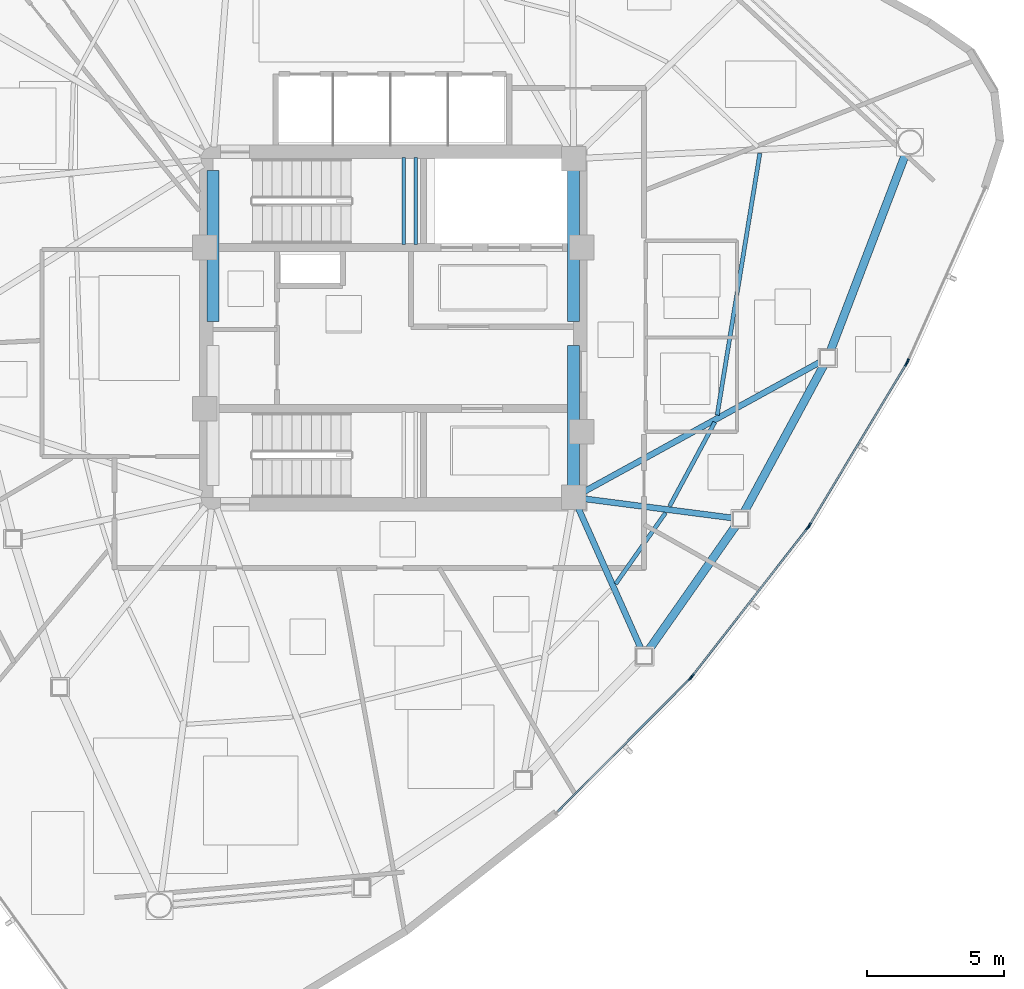
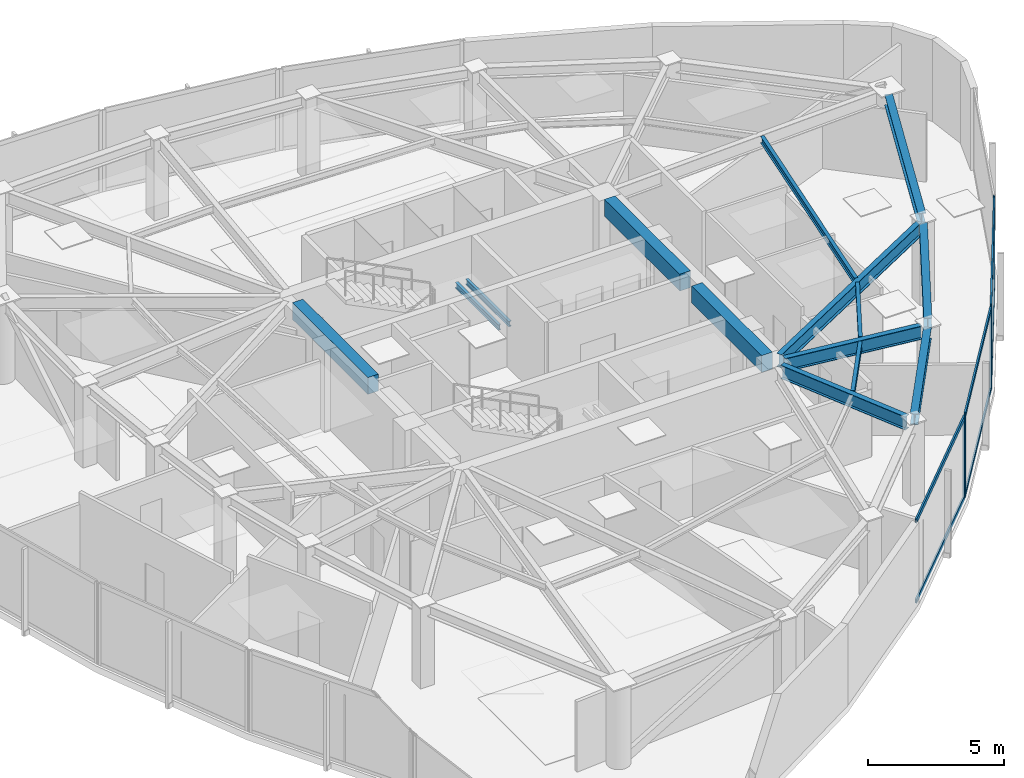
# One storey, part 4 of 13: 14 beams, 12 members, 4 elements without a shape of their own.
"""IFC4 building model written with IfcOpenShell, lengths in metres."""

from ifc_helpers import new_model, si_unit, direction, frame, origin, origin_2d, place, context, subcontext, project, spatial, rectangle, hollow_rectangle, i_section, extrude, source, transform, mapped, material, layer, layer_set, material_profile, profile_set, type_object, type_shapes, element, aggregate, save


model = new_model("IFC4")

# Units and contexts
model_context = context("Model", 3, precision=1e-05, world=origin(), true_north=direction((0.0, 1.0)))
body_context = subcontext(model_context, "Body", "Model", "MODEL_VIEW")
ifc_project = project(units=[si_unit("LENGTHUNIT", "METRE"), si_unit("AREAUNIT", "SQUARE_METRE"), si_unit("VOLUMEUNIT", "CUBIC_METRE"), si_unit("PLANEANGLEUNIT", "RADIAN"), si_unit("MASSUNIT", "GRAM", prefix="KILO")], contexts=[model_context])

# Site, building, storey
site_placement = place(None, origin())
site = spatial("IfcSite", under=ifc_project, at=site_placement, CompositionType="ELEMENT")
building_placement = place(site_placement, origin())
building = spatial("IfcBuilding", under=site, at=building_placement, Name="Tavelor Broadcast Tower", CompositionType="ELEMENT")
storey_placement = place(building_placement, frame((0.0, 0.0, 245.85009765625)))
storey = spatial("IfcBuildingStorey", under=building, at=storey_placement, Name="L58", CompositionType="ELEMENT", Elevation=245.85009765625)

# Beams
ifc_material_1 = material(Name="Concrete C40/50", Category="concrete")
ifc_material_profile_1 = material_profile(ifc_material_1, rectangle(XDim=0.449951171875, YDim=0.75, at=origin_2d()), Name="RC 450x750")
ifc_profile_set_1 = profile_set([ifc_material_profile_1], Name="Concrete C40/50")
beam_type_1 = type_object("IfcBeamType", Name="Basement Core Trim Beam 450x750", PredefinedType="BEAM", material=ifc_profile_set_1)
for number, where, z_axis, x_axis, name in (
    (1, (43.39990234375, 45.23193359375, 3.27490234375), (0.0, 1.0, 0.0), (-1.0, 0.0, 0.0), "L58 Core West-N Tie Girder"),
    (2, (56.60009765625, 45.23193359375, 3.27490234375), (0.0, 1.0, 0.0), (-1.0, 0.0, 0.0), "L58 Core East-N Tie Girder"),
):
    element("IfcBeam", number, at=place(storey_placement, frame(where, z_axis=z_axis, x_axis=x_axis)), inside=storey, type_object=beam_type_1, Name=name, PredefinedType="BEAM", context=body_context, shape_type="SweptSolid", body=[
        extrude(rectangle(XDim=0.449951171875, YDim=0.75, at=origin_2d()), origin(), (0.0, 0.0, 1.0), 5.5361328125),
    ])
beam_1_placement = place(storey_placement, frame((56.60009765625, 39.23193359375, 3.27490234375), z_axis=(0.0, 1.0, 0.0), x_axis=(-1.0, 0.0, 0.0)))
element("IfcBeam", 3, at=beam_1_placement, inside=storey, type_object=beam_type_1, Name="L58 Core East-S Tie Girder", PredefinedType="BEAM", context=body_context, shape_type="SweptSolid", body=[
    extrude(rectangle(XDim=0.449951171875, YDim=0.75, at=origin_2d()), origin(), (0.0, 0.0, 1.0), 5.135986328125),
])
ifc_material_2 = material(Name="Steel S355", Category="steel")
ifc_material_profile_2 = material_profile(ifc_material_2, i_section(OverallWidth=0.14990234375, OverallDepth=0.300048828125, WebThickness=0.007080078125, FlangeThickness=0.0107421875, at=origin_2d()), Name="IPE 300")
ifc_profile_set_2 = profile_set([ifc_material_profile_2], Name="Steel S355")
beam_type_2 = type_object("IfcBeamType", Name="Composite Floor Joist T5 IPE 300", PredefinedType="JOIST", material=ifc_profile_set_2)
beam_2_placement = place(storey_placement, frame((58.1435546875, 35.632568359375, 3.5), z_axis=(0.573982104788, 0.81886784244, 0.0), x_axis=(-0.81886784244, 0.573982104788, 0.0)))
element("IfcBeam", 4, at=beam_2_placement, inside=storey, type_object=beam_type_2, Name="L58 Secondary Composite Floor Joist 10", PredefinedType="JOIST", context=body_context, shape_type="SweptSolid", body=[
    extrude(i_section(OverallWidth=0.14990234375, OverallDepth=0.300048828125, WebThickness=0.007080078125, FlangeThickness=0.0107421875, at=origin_2d()), origin(), (0.0, 0.0, 1.0), 3.183349609375),
])
beam_3_placement = place(storey_placement, frame((60.11669921875, 38.476318359375, 3.5), z_axis=(0.473687126384, 0.880693196464, 0.0), x_axis=(-0.880693196464, 0.473687126384, 0.0)))
element("IfcBeam", 5, at=beam_3_placement, inside=storey, type_object=beam_type_2, Name="L58 Secondary Composite Floor Joist 11", PredefinedType="JOIST", context=body_context, shape_type="SweptSolid", body=[
    extrude(i_section(OverallWidth=0.14990234375, OverallDepth=0.300048828125, WebThickness=0.007080078125, FlangeThickness=0.0107421875, at=origin_2d()), origin(), (0.0, 0.0, 1.0), 3.492919921875),
])
beam_4_placement = place(storey_placement, frame((61.859619140625, 41.812744140625, 3.5), z_axis=(0.160809479217, 0.986985466658, 0.0), x_axis=(-0.986985466658, 0.160809479217, 0.0)))
element("IfcBeam", 6, at=beam_4_placement, inside=storey, type_object=beam_type_2, Name="L58 Secondary Composite Floor Joist 12", PredefinedType="JOIST", context=body_context, shape_type="SweptSolid", body=[
    extrude(i_section(OverallWidth=0.14990234375, OverallDepth=0.300048828125, WebThickness=0.007080078125, FlangeThickness=0.0107421875, at=origin_2d()), origin(), (0.0, 0.0, 1.0), 9.708984375),
])
ifc_material_profile_3 = material_profile(ifc_material_2, i_section(OverallWidth=0.300048828125, OverallDepth=0.489990234375, WebThickness=0.011962890625, FlangeThickness=0.02294921875, at=origin_2d()), Name="HEA 500")
ifc_profile_set_3 = profile_set([ifc_material_profile_3], Name="Steel S355")
beam_type_3 = type_object("IfcBeamType", Name="Perimeter Spandrel Beam T5 HEA 500", PredefinedType="SPANDREL", material=ifc_profile_set_3)
beam_5_placement = place(storey_placement, frame((59.357666015625, 33.222900390625, 3.40478515625), z_axis=(0.573798498873, 0.818996509572, 0.0), x_axis=(-0.818996509572, 0.573798498873, 0.0)))
element("IfcBeam", 7, at=beam_5_placement, inside=storey, type_object=beam_type_3, Name="L58 Framed-Tube Ring Spandrel 10", PredefinedType="SPANDREL", context=body_context, shape_type="SweptSolid", body=[
    extrude(i_section(OverallWidth=0.300048828125, OverallDepth=0.489990234375, WebThickness=0.011962890625, FlangeThickness=0.02294921875, at=origin_2d()), origin(), (0.0, 0.0, 1.0), 5.555908203125),
])
beam_6_placement = place(storey_placement, frame((62.84814453125, 38.26220703125, 3.40478515625), z_axis=(0.476295969148, 0.879285021921, 0.0), x_axis=(-0.879285021921, 0.476295969148, 0.0)))
element("IfcBeam", 8, at=beam_6_placement, inside=storey, type_object=beam_type_3, Name="L58 Framed-Tube Ring Spandrel 11", PredefinedType="SPANDREL", context=body_context, shape_type="SweptSolid", body=[
    extrude(i_section(OverallWidth=0.300048828125, OverallDepth=0.489990234375, WebThickness=0.011962890625, FlangeThickness=0.02294921875, at=origin_2d()), origin(), (0.0, 0.0, 1.0), 6.134521484375),
])
beam_7_placement = place(storey_placement, frame((66.010009765625, 44.178466796875, 3.40478515625), z_axis=(0.356691025332, 0.934222410589, 0.0), x_axis=(-0.934222410589, 0.356691025332, 0.0)))
element("IfcBeam", 9, at=beam_7_placement, inside=storey, type_object=beam_type_3, Name="L58 Framed-Tube Ring Spandrel 12", PredefinedType="SPANDREL", context=body_context, shape_type="SweptSolid", body=[
    extrude(i_section(OverallWidth=0.300048828125, OverallDepth=0.489990234375, WebThickness=0.011962890625, FlangeThickness=0.02294921875, at=origin_2d()), origin(), (0.0, 0.0, 1.0), 7.71875),
])
ifc_material_profile_4 = material_profile(ifc_material_2, i_section(OverallWidth=0.219970703125, OverallDepth=0.60009765625, WebThickness=0.011962890625, FlangeThickness=0.01904296875, at=origin_2d()), Name="IPE 600")
ifc_profile_set_4 = profile_set([ifc_material_profile_4], Name="Steel S355")
beam_type_4 = type_object("IfcBeamType", Name="Radial Floor Girder T5 IPE 600", PredefinedType="BEAM", material=ifc_profile_set_4)
beam_8_placement = place(storey_placement, frame((56.77587890625, 38.405517578125, 3.349853515625), z_axis=(0.407317885502, -0.913286450217, 0.0), x_axis=(0.913286450217, 0.407317885502, 0.0)))
element("IfcBeam", 10, at=beam_8_placement, inside=storey, type_object=beam_type_4, Name="L58 Radial Primary Floor Girder 10", PredefinedType="BEAM", context=body_context, shape_type="SweptSolid", body=[
    extrude(i_section(OverallWidth=0.219970703125, OverallDepth=0.60009765625, WebThickness=0.011962890625, FlangeThickness=0.01904296875, at=origin_2d()), origin(), (0.0, 0.0, 1.0), 5.64501953125),
])
beam_9_placement = place(storey_placement, frame((57.0283203125, 38.74462890625, 3.349853515625), z_axis=(0.991728752797, -0.12835139608, 0.0), x_axis=(0.12835139608, 0.991728752797, 0.0)))
element("IfcBeam", 11, at=beam_9_placement, inside=storey, type_object=beam_type_4, Name="L58 Radial Primary Floor Girder 11", PredefinedType="BEAM", context=body_context, shape_type="SweptSolid", body=[
    extrude(i_section(OverallWidth=0.219970703125, OverallDepth=0.60009765625, WebThickness=0.011962890625, FlangeThickness=0.01904296875, at=origin_2d()), origin(), (0.0, 0.0, 1.0), 5.44189453125),
])
beam_10_placement = place(storey_placement, frame((56.978759765625, 39.0078125, 3.349853515625), z_axis=(0.876594261461, 0.481230195201, 0.0), x_axis=(-0.481230195201, 0.876594261461, 0.0)))
element("IfcBeam", 12, at=beam_10_placement, inside=storey, type_object=beam_type_4, Name="L58 Radial Primary Floor Girder 12", PredefinedType="BEAM", context=body_context, shape_type="SweptSolid", body=[
    extrude(i_section(OverallWidth=0.219970703125, OverallDepth=0.60009765625, WebThickness=0.011962890625, FlangeThickness=0.01904296875, at=origin_2d()), origin(), (0.0, 0.0, 1.0), 9.8974609375),
])
ifc_material_profile_5 = material_profile(ifc_material_2, i_section(OverallWidth=0.1201171875, OverallDepth=0.239990234375, WebThickness=0.006103515625, FlangeThickness=0.009765625, at=origin_2d()), Name="IPE 240")
ifc_profile_set_5 = profile_set([ifc_material_profile_5], Name="Steel S355")
beam_type_5 = type_object("IfcBeamType", Name="Stairwell Landing Support Trimmer Beam IPE240", PredefinedType="BEAM", material=ifc_profile_set_5)
for number, where, z_axis, x_axis, name in (
    (13, (50.385009765625, 48.06005859375, 1.659912109375), (0.0, 1.0, 0.0), (-1.0, 0.0, 0.0), "L58 Stair Landing Support Beam 157"),
    (14, (50.824951171875, 48.06005859375, 1.659912109375), (0.0, 1.0, 0.0), (-1.0, 0.0, 0.0), "L58 Stair Landing Support Beam 158"),
):
    element("IfcBeam", number, at=place(storey_placement, frame(where, z_axis=z_axis, x_axis=x_axis)), inside=storey, type_object=beam_type_5, Name=name, PredefinedType="BEAM", context=body_context, shape_type="SweptSolid", body=[
        extrude(i_section(OverallWidth=0.1201171875, OverallDepth=0.239990234375, WebThickness=0.006103515625, FlangeThickness=0.009765625, at=origin_2d()), origin(), (0.0, 0.0, 1.0), 3.179931640625),
    ])

# Curtain wall, member
ifc_material_3 = material(Name="Architectural Anodized Aluminium", Category="aluminium")
ifc_layer = layer(ifc_material_3, 0.199951171875)
ifc_layer_set = layer_set([ifc_layer], Name="Architectural Anodized Aluminium")
curtain_wall_type = type_object("IfcCurtainWallType", Name="Tower High-Zone Triple-Glazed Curtain Wall CW04", PredefinedType="NOTDEFINED", material=ifc_layer_set)
curtain_wall_1_placement = place(storey_placement, origin())
curtain_wall_1 = element("IfcCurtainWall", 15, at=curtain_wall_1_placement, inside=storey, type_object=curtain_wall_type, Name="L58 Curtain Wall CW04 Run 629", PredefinedType="NOTDEFINED")
ifc_material_profile_6 = material_profile(ifc_material_3, hollow_rectangle(XDim=0.070068359375, YDim=0.199951171875, WallThickness=0.02197265625, at=origin_2d()), Name="RHS 70x200x22")
ifc_profile_set_6 = profile_set([ifc_material_profile_6], Name="Architectural Anodized Aluminium")
member_type_1 = type_object("IfcMemberType", Name="CW04 Extruded Aluminium Mullion 70x200", PredefinedType="MULLION", material=ifc_profile_set_6)
shared_shape_1 = source(origin(), body_context, "Body", "SweptSolid", [
    extrude(hollow_rectangle(XDim=0.070068359375, YDim=0.199951171875, WallThickness=0.02197265625, at=origin_2d()), origin(), (0.0, 0.0, 1.0), 3.64990234375),
])
type_shapes(member_type_1, [shared_shape_1])
member_1_placement = place(storey_placement, frame((60.87109375, 32.175537109375, 0.0), z_axis=(0.0, 0.0, 1.0), x_axis=(-0.70865123895, 0.705558942636, 0.0)))
member_1 = element("IfcMember", 16, at=member_1_placement, type_object=member_type_1, Name="CW04 mullion 2", PredefinedType="MULLION", context=body_context, shape_type="MappedRepresentation", body=[
    mapped(shared_shape_1, transform((0.0, 0.0, 0.0), scale=1.0)),
])

# Curtain wall, members
curtain_wall_2_placement = place(storey_placement, origin())
curtain_wall_2 = element("IfcCurtainWall", 17, at=curtain_wall_2_placement, inside=storey, type_object=curtain_wall_type, Name="L58 Curtain Wall CW04 Run 630", PredefinedType="NOTDEFINED")
member_2_placement = place(storey_placement, frame((60.93701171875, 32.25048828125, 0.0), z_axis=(0.0, 0.0, 1.0), x_axis=(-0.788815014641, 0.614630679903, 0.0)))
member_2 = element("IfcMember", 18, at=member_2_placement, type_object=member_type_1, Name="CW04 mullion 1", PredefinedType="MULLION", context=body_context, shape_type="MappedRepresentation", body=[
    mapped(shared_shape_1, transform((0.0, 0.0, 0.0), scale=1.0)),
])
member_3_placement = place(storey_placement, frame((65.177978515625, 37.693359375, 0.0), z_axis=(0.0, 0.0, 1.0), x_axis=(-0.788815014641, 0.614630679903, 0.0)))
member_3 = element("IfcMember", 19, at=member_3_placement, type_object=member_type_1, Name="CW04 mullion 2", PredefinedType="MULLION", context=body_context, shape_type="MappedRepresentation", body=[
    mapped(shared_shape_1, transform((0.0, 0.0, 0.0), scale=1.0)),
])

curtain_wall_3_placement = place(storey_placement, origin())
curtain_wall_3 = element("IfcCurtainWall", 20, at=curtain_wall_3_placement, inside=storey, type_object=curtain_wall_type, Name="L58 Curtain Wall CW04 Run 631", PredefinedType="NOTDEFINED")
member_4_placement = place(storey_placement, frame((65.234619140625, 37.775634765625, 0.0), z_axis=(0.0, 0.0, 1.0), x_axis=(-0.857399234704, 0.514651874891, 0.0)))
member_4 = element("IfcMember", 21, at=member_4_placement, type_object=member_type_1, Name="CW04 mullion 1", PredefinedType="MULLION", context=body_context, shape_type="MappedRepresentation", body=[
    mapped(shared_shape_1, transform((0.0, 0.0, 0.0), scale=1.0)),
])
member_5_placement = place(storey_placement, frame((68.785888671875, 43.69189453125, 0.0), z_axis=(0.0, 0.0, 1.0), x_axis=(-0.857399234704, 0.514651874891, 0.0)))
member_5 = element("IfcMember", 22, at=member_5_placement, type_object=member_type_1, Name="CW04 mullion 2", PredefinedType="MULLION", context=body_context, shape_type="MappedRepresentation", body=[
    mapped(shared_shape_1, transform((0.0, 0.0, 0.0), scale=1.0)),
])

# Curtain wall, member
curtain_wall_4_placement = place(storey_placement, origin())
curtain_wall_4 = element("IfcCurtainWall", 23, at=curtain_wall_4_placement, inside=storey, type_object=curtain_wall_type, Name="L58 Curtain Wall CW04 Run 632", PredefinedType="NOTDEFINED")
member_6_placement = place(storey_placement, frame((68.831787109375, 43.780517578125, 0.0), z_axis=(0.0, 0.0, 1.0), x_axis=(-0.913373033087, 0.407123694261, 0.0)))
member_6 = element("IfcMember", 24, at=member_6_placement, type_object=member_type_1, Name="CW04 mullion 1", PredefinedType="MULLION", context=body_context, shape_type="MappedRepresentation", body=[
    mapped(shared_shape_1, transform((0.0, 0.0, 0.0), scale=1.0)),
])
aggregate(curtain_wall_4, [member_6])

# Member
ifc_material_profile_7 = material_profile(ifc_material_3, hollow_rectangle(XDim=0.070068359375, YDim=0.199951171875, WallThickness=0.02197265625, at=origin_2d()), Name="RHS 70x200x22")
ifc_profile_set_7 = profile_set([ifc_material_profile_7], Name="Architectural Anodized Aluminium")
member_type_2 = type_object("IfcMemberType", Name="CW04 Extruded Aluminium Transom 70x200", PredefinedType="USERDEFINED", material=ifc_profile_set_7)
shared_shape_2 = source(origin(), body_context, "Body", "SweptSolid", [
    extrude(hollow_rectangle(XDim=0.070068359375, YDim=0.199951171875, WallThickness=0.02197265625, at=origin_2d()), origin(), (0.0, 0.0, 1.0), 6.84521484375),
])
member_7_placement = place(storey_placement, frame((56.0166015625, 27.2998046875, 0.034912109375), z_axis=(0.705553588792, 0.708656569392, 0.0), x_axis=(-0.708656569392, 0.705553588792, 0.0)))
member_7 = element("IfcMember", 25, at=member_7_placement, type_object=member_type_2, Name="CW04 transom 1.1", ObjectType="TRANSOM", PredefinedType="USERDEFINED", context=body_context, shape_type="MappedRepresentation", body=[
    mapped(shared_shape_2, transform((0.0, 0.0, 0.0), scale=1.0)),
])

member_8_placement = place(storey_placement, frame((56.0166015625, 27.2998046875, 3.614990234375), z_axis=(0.705553588792, 0.708656569392, 0.0), x_axis=(-0.708656569392, 0.705553588792, 0.0)))
member_8 = element("IfcMember", 26, at=member_8_placement, type_object=member_type_2, Name="CW04 transom 1.2", ObjectType="TRANSOM", PredefinedType="USERDEFINED", context=body_context, shape_type="MappedRepresentation", body=[
    mapped(shared_shape_2, transform((0.0, 0.0, 0.0), scale=1.0)),
])

aggregate(curtain_wall_1, [member_1, member_7, member_8])

shared_shape_3 = source(origin(), body_context, "Body", "SweptSolid", [
    extrude(hollow_rectangle(XDim=0.070068359375, YDim=0.199951171875, WallThickness=0.02197265625, at=origin_2d()), origin(), (0.0, 0.0, 1.0), 6.830078125),
])
type_shapes(member_type_2, [shared_shape_2, shared_shape_3])
member_9_placement = place(storey_placement, frame((60.95849609375, 32.278076171875, 0.034912109375), z_axis=(0.614630802066, 0.788814919453, 0.0), x_axis=(-0.788814919453, 0.614630802066, 0.0)))
member_9 = element("IfcMember", 27, at=member_9_placement, type_object=member_type_2, Name="CW04 transom 1.1", ObjectType="TRANSOM", PredefinedType="USERDEFINED", context=body_context, shape_type="MappedRepresentation", body=[
    mapped(shared_shape_3, transform((0.0, 0.0, 0.0), scale=1.0)),
])

member_10_placement = place(storey_placement, frame((60.95849609375, 32.278076171875, 3.614990234375), z_axis=(0.614630802066, 0.788814919453, 0.0), x_axis=(-0.788814919453, 0.614630802066, 0.0)))
member_10 = element("IfcMember", 28, at=member_10_placement, type_object=member_type_2, Name="CW04 transom 1.2", ObjectType="TRANSOM", PredefinedType="USERDEFINED", context=body_context, shape_type="MappedRepresentation", body=[
    mapped(shared_shape_3, transform((0.0, 0.0, 0.0), scale=1.0)),
])

aggregate(curtain_wall_2, [member_2, member_3, member_9, member_10])

member_11_placement = place(storey_placement, frame((65.252685546875, 37.8056640625, 0.034912109375), z_axis=(0.514648186744, 0.857401448495, 0.0), x_axis=(-0.857401448495, 0.514648186744, 0.0)))
member_11 = element("IfcMember", 29, at=member_11_placement, type_object=member_type_2, Name="CW04 transom 1.1", ObjectType="TRANSOM", PredefinedType="USERDEFINED", context=body_context, shape_type="MappedRepresentation", body=[
    mapped(shared_shape_3, transform((0.0, 0.0, 0.0), scale=1.0)),
])

member_12_placement = place(storey_placement, frame((65.252685546875, 37.8056640625, 3.614990234375), z_axis=(0.514648186744, 0.857401448495, 0.0), x_axis=(-0.857401448495, 0.514648186744, 0.0)))
member_12 = element("IfcMember", 30, at=member_12_placement, type_object=member_type_2, Name="CW04 transom 1.2", ObjectType="TRANSOM", PredefinedType="USERDEFINED", context=body_context, shape_type="MappedRepresentation", body=[
    mapped(shared_shape_3, transform((0.0, 0.0, 0.0), scale=1.0)),
])

aggregate(curtain_wall_3, [member_4, member_5, member_11, member_12])

save(model, "model.ifc")
